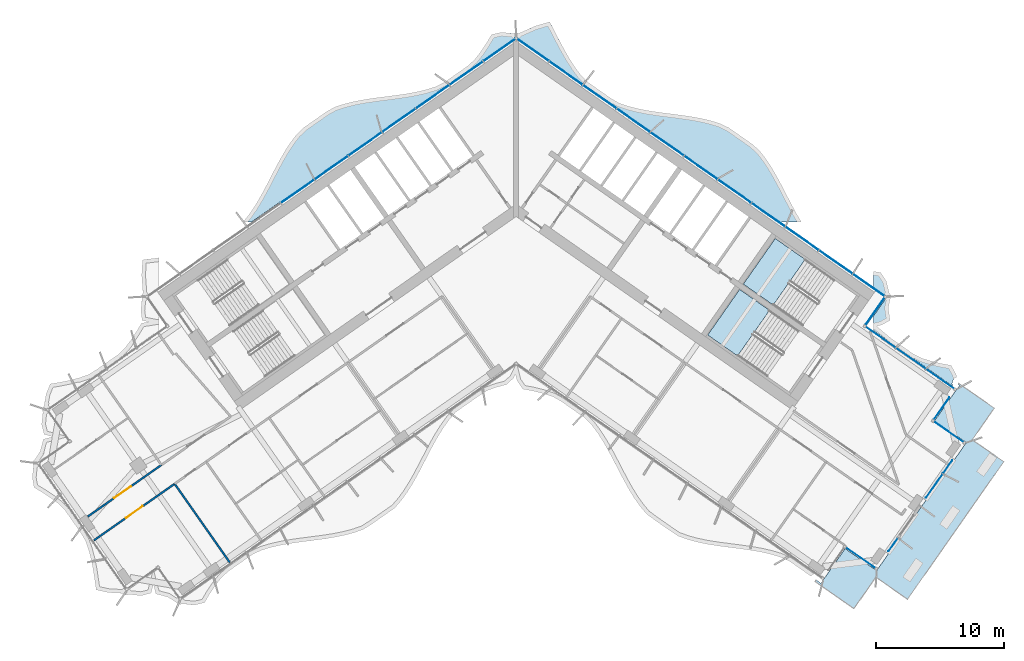
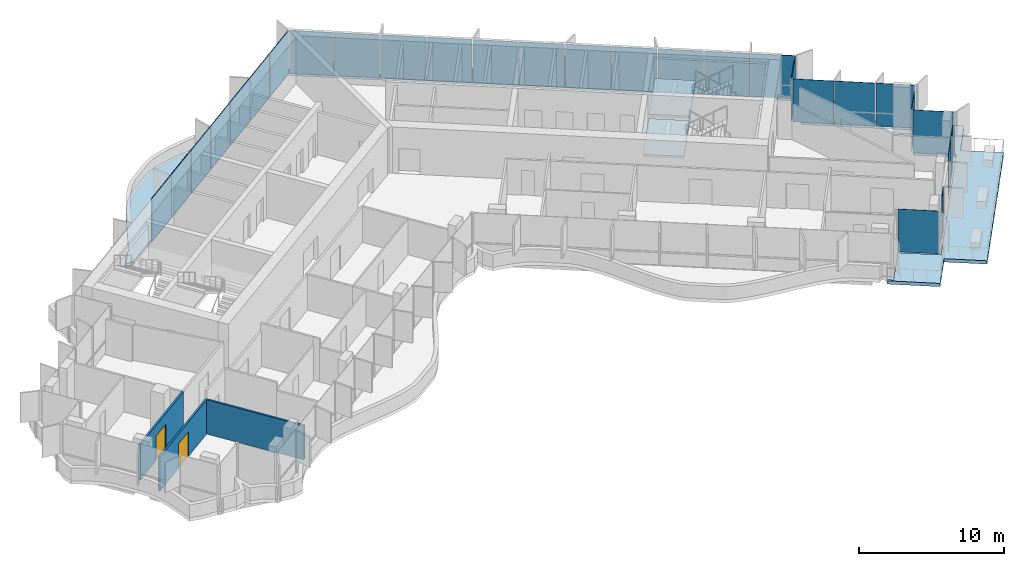
# One storey, part 12 of 23: 28 plates, 5 slabs, 3 walls, 2 doors, 2 openings, 5 elements without a shape of their own.
"""IFC4 building model written with IfcOpenShell, lengths in metres."""

import ifcopenshell
import ifcopenshell.guid

model = None  # the IFC model being written
_history = None  # IfcOwnerHistory: only IFC2X3 demands one
_inside = {}  # id of a spatial element -> (the spatial element, [elements in it])
_under = {}  # id of a project, library or spatial element -> (it, [spatial elements below it])
_declared = {}  # id of a project -> (the project, [libraries it declares])
_typed = {}  # id of a type object -> (the type object, [elements of that type])
_made_of = {}  # id of a material, layer set ... -> (it, [elements and type objects made of it])


def new_model(schema):
    """Start an empty IFC model of exactly this schema.

    Asked for "IFC4X3", IfcOpenShell would pick the latest addendum, in which some entities
    have other attributes; the version numbers below select the first issue.
    IFC2X3 requires an IfcOwnerHistory on every rooted entity: one is made here for all.
    """
    global model, _history
    if schema == "IFC4X3":
        model = ifcopenshell.file(schema_version=(4, 3, 0, 0))
    else:
        model = ifcopenshell.file(schema=schema)
    _inside.clear()
    _under.clear()
    _declared.clear()
    _typed.clear()
    _made_of.clear()
    _history = None
    if model.schema == "IFC2X3":
        org = make("IfcOrganization", Name="unknown")
        user = make(
            "IfcPersonAndOrganization",
            ThePerson=make("IfcPerson", FamilyName="unknown"),
            TheOrganization=org,
        )
        app = make(
            "IfcApplication",
            ApplicationDeveloper=org,
            Version="unknown",
            ApplicationFullName="unknown",
            ApplicationIdentifier="unknown",
        )
        _history = make(
            "IfcOwnerHistory",
            OwningUser=user,
            OwningApplication=app,
            ChangeAction="ADDED",
            CreationDate=0,
        )
    return model


def make(cls, **values):
    """One entity of the class cls with the attributes given. An attribute that is None is left unset."""
    return model.create_entity(
        cls, **{name: value for name, value in values.items() if value is not None}
    )


def rooted(cls, **values):
    """An entity with a GlobalId (a new one), such as an element, a storey or a relation."""
    return make(cls, GlobalId=ifcopenshell.guid.new(), OwnerHistory=_history, **values)


def si_unit(unit_type, name, prefix=None):
    """IfcSIUnit, for example si_unit("LENGTHUNIT", "METRE", prefix="MILLI")."""
    return make("IfcSIUnit", UnitType=unit_type, Prefix=prefix, Name=name)


def assignment(units):
    """IfcUnitAssignment: the units of a project."""
    return None if units is None else make("IfcUnitAssignment", Units=units)


def point(xyz):
    """IfcCartesianPoint."""
    return None if xyz is None else make("IfcCartesianPoint", Coordinates=xyz)


def direction(xyz):
    """IfcDirection."""
    return None if xyz is None else make("IfcDirection", DirectionRatios=xyz)


def frame(location, z_axis=None, x_axis=None):
    """IfcAxis2Placement3D, a coordinate frame: its origin and axes. An axis left out is left unset."""
    return make(
        "IfcAxis2Placement3D",
        Location=point(location),
        Axis=direction(z_axis),
        RefDirection=direction(x_axis),
    )


def frame_2d(location, x_axis=None):
    """IfcAxis2Placement2D, a coordinate frame in the plane: its origin and x axis."""
    return make(
        "IfcAxis2Placement2D", Location=point(location), RefDirection=direction(x_axis)
    )


def origin():
    """The frame at (0, 0, 0) with its axes left unset."""
    return frame((0.0, 0.0, 0.0))


def origin_2d():
    """The frame at (0, 0) in the plane with its x axis left unset."""
    return frame_2d((0.0, 0.0))


def place(relative_to, where):
    """IfcLocalPlacement: puts the frame where relative to a parent placement (None: the world)."""
    return make(
        "IfcLocalPlacement", PlacementRelTo=relative_to, RelativePlacement=where
    )


def context(
    kind, dimensions, precision=None, world=None, true_north=None, identifier=None
):
    """IfcGeometricRepresentationContext, for example the 3D "Model" context."""
    return make(
        "IfcGeometricRepresentationContext",
        ContextIdentifier=identifier,
        ContextType=kind,
        CoordinateSpaceDimension=dimensions,
        Precision=precision,
        WorldCoordinateSystem=world,
        TrueNorth=true_north,
    )


def subcontext(parent, identifier, kind, view, scale=None):
    """IfcGeometricRepresentationSubContext, for example "Body" below "Model"."""
    return make(
        "IfcGeometricRepresentationSubContext",
        ContextIdentifier=identifier,
        ContextType=kind,
        ParentContext=parent,
        TargetScale=scale,
        TargetView=view,
    )


def project(units=None, contexts=None):
    """IfcProject with its units and contexts."""
    return rooted(
        "IfcProject",
        Name="project",
        RepresentationContexts=contexts,
        UnitsInContext=assignment(units),
    )


def spatial(cls, under=None, at=None, **own):
    """A site, building, storey or space (cls), placed at a placement, below another one or the project."""
    s = rooted(cls, ObjectPlacement=at, **own)
    if under is not None:
        _under.setdefault(under.id(), (under, []))[1].append(s)
    return s


def polyline(points):
    """IfcPolyline through the points."""
    return make("IfcPolyline", Points=[point(p) for p in points])


def profile(cls, at=None, kind="AREA", **sizes):
    """A parametric profile (cls). Its sizes go by their IFC names, for example OverallWidth=200.0."""
    return make(cls, ProfileType=kind, Position=at, **sizes)


def rectangle(**sizes):
    """IfcRectangleProfileDef."""
    return profile("IfcRectangleProfileDef", **sizes)


def outline(outer, holes=None, kind="AREA"):
    """IfcArbitraryClosedProfileDef: a profile drawn as a closed curve; with holes, ...WithVoids."""
    if holes is None:
        return make("IfcArbitraryClosedProfileDef", ProfileType=kind, OuterCurve=outer)
    return make(
        "IfcArbitraryProfileDefWithVoids",
        ProfileType=kind,
        OuterCurve=outer,
        InnerCurves=holes,
    )


def extrude(swept, where, along, depth):
    """IfcExtrudedAreaSolid: the profile swept, set in the frame where, extruded along a direction by depth."""
    return make(
        "IfcExtrudedAreaSolid",
        SweptArea=swept,
        Position=where,
        ExtrudedDirection=direction(along),
        Depth=depth,
    )


def shape(context_of_items, identifier, shape_type, items):
    """IfcShapeRepresentation: the items that make up one representation, for example the "Body"."""
    return make(
        "IfcShapeRepresentation",
        ContextOfItems=context_of_items,
        RepresentationIdentifier=identifier,
        RepresentationType=shape_type,
        Items=items,
    )


def material(Name=None, Category=None):
    """IfcMaterial."""
    return make("IfcMaterial", Name=Name, Category=Category)


def layer(
    of_material, thickness, ventilated=None, Name=None, Category=None, Priority=None
):
    """IfcMaterialLayer: one layer of a wall or slab, of a material (None: an air gap)."""
    return make(
        "IfcMaterialLayer",
        Material=of_material,
        LayerThickness=thickness,
        IsVentilated=ventilated,
        Name=Name,
        Category=Category,
        Priority=Priority,
    )


def layer_set(layers, Name=None):
    """IfcMaterialLayerSet."""
    return make("IfcMaterialLayerSet", MaterialLayers=layers, LayerSetName=Name)


def made_of(thing, what):
    """Note that an element or type object is made of a material, layer set ...; save() writes the relation."""
    if what is not None:
        _made_of.setdefault(what.id(), (what, []))[1].append(thing)
    return thing


def type_object(cls, material=None, **own):
    """A type object (cls), such as IfcWallType, which elements share."""
    return made_of(rooted(cls, **own), material)


def element(
    cls,
    number,
    at=None,
    inside=None,
    cuts=None,
    type_object=None,
    material=None,
    context=None,
    identifier="Body",
    shape_type=None,
    held_by="IfcProductDefinitionShape",
    body=None,
    shapes=None,
    **own,
):
    """One element of the class cls, such as IfcWall. Its Tag is "e" and its number.

    at: its placement. inside: the storey or other place that contains it. cuts: it is an
    opening in that element (IfcRelVoidsElement). A single representation is given by context,
    identifier, shape_type and body (its items); several are given by shapes. held_by: the class
    of the entity that holds the representations. save() writes the other relations.
    """
    e = rooted(cls, Tag="e%d" % number, ObjectPlacement=at, **own)
    if body is not None:
        shapes = [shape(context, identifier, shape_type, body)]
    if shapes is not None:
        e.Representation = make(held_by, Representations=shapes)
    if inside is not None:
        _inside.setdefault(inside.id(), (inside, []))[1].append(e)
    if cuts is not None:
        rooted(
            "IfcRelVoidsElement", RelatingBuildingElement=cuts, RelatedOpeningElement=e
        )
    if type_object is not None:
        _typed.setdefault(type_object.id(), (type_object, []))[1].append(e)
    return made_of(e, material)


def fill(opening, filler):
    """IfcRelFillsElement: the door or window that sits in an opening."""
    return rooted(
        "IfcRelFillsElement",
        RelatingOpeningElement=opening,
        RelatedBuildingElement=filler,
    )


def aggregate(whole, parts):
    """IfcRelAggregates: a whole, such as a stair, and the parts it consists of."""
    return rooted("IfcRelAggregates", RelatingObject=whole, RelatedObjects=parts)


def save(model, path):
    """Write the relations noted so far, then the file.

    IfcRelAggregates (storeys below a building ...), IfcRelContainedInSpatialStructure (elements
    in a storey), IfcRelDefinesByType, IfcRelAssociatesMaterial and IfcRelDeclares: one each for
    every whole, place, type object, material and project.
    """
    for whole, parts in _under.values():
        aggregate(whole, parts)
    for where, things in _inside.values():
        rooted(
            "IfcRelContainedInSpatialStructure",
            RelatedElements=things,
            RelatingStructure=where,
        )
    for kind, things in _typed.values():
        rooted("IfcRelDefinesByType", RelatedObjects=things, RelatingType=kind)
    for what, things in _made_of.values():
        rooted("IfcRelAssociatesMaterial", RelatedObjects=things, RelatingMaterial=what)
    for by, libraries in _declared.values():
        rooted("IfcRelDeclares", RelatingContext=by, RelatedDefinitions=libraries)
    model.write(path)


model = new_model("IFC4")

# Units and contexts
model_context = context("Model", 3, precision=1e-05, world=origin(), true_north=direction((0.0, 1.0)))
body_context = subcontext(model_context, "Body", "Model", "MODEL_VIEW")
ifc_project = project(units=[si_unit("LENGTHUNIT", "METRE"), si_unit("AREAUNIT", "SQUARE_METRE"), si_unit("VOLUMEUNIT", "CUBIC_METRE"), si_unit("PLANEANGLEUNIT", "RADIAN"), si_unit("MASSUNIT", "GRAM", prefix="KILO")], contexts=[model_context])

# Site, building, storey
site_placement = place(None, origin())
site = spatial("IfcSite", under=ifc_project, at=site_placement, CompositionType="ELEMENT")
building_placement = place(site_placement, origin())
building = spatial("IfcBuilding", under=site, at=building_placement, Name="Tel Ilan Convention Tower", CompositionType="ELEMENT")
storey_placement = place(building_placement, frame((0.0, 0.0, 190.5)))
storey = spatial("IfcBuildingStorey", under=building, at=storey_placement, Name="L44", CompositionType="ELEMENT", Elevation=190.5)

# Curtain wall, plates
ifc_material_1 = material(Name="Aluminium, bronze anodised", Category="aluminium")
curtain_wall_type_1 = type_object("IfcCurtainWallType", Name="CW4 STICK CURTAIN WALL, OFFICE TINTED GLASS", PredefinedType="NOTDEFINED", material=ifc_material_1)
curtain_wall_1_placement = place(storey_placement, origin())
curtain_wall_1 = element("IfcCurtainWall", 1, at=curtain_wall_1_placement, inside=storey, type_object=curtain_wall_type_1, Name="Curtain wall CW4-34.02", PredefinedType="NOTDEFINED")
ifc_material_2 = material(Name="Glass, bronze tinted, two-ply", Category="glass")
ifc_layer_1 = layer(ifc_material_2, 0.028076171875)
ifc_layer_set_1 = layer_set([ifc_layer_1], Name="CW GLASS PANEL 28")
plate_type_1 = type_object("IfcPlateType", Name="CW GLASS PANEL 28", PredefinedType="CURTAIN_PANEL", material=ifc_layer_set_1)
plate_1_placement = place(storey_placement, frame((32.64208984375, -22.248291015625, 0.0), z_axis=(0.0, 0.0, 1.0), x_axis=(0.573576436351, 0.819152044289, 0.0)))
plate_1 = element("IfcPlate", 2, at=plate_1_placement, type_object=plate_type_1, Name="Glass panel", PredefinedType="CURTAIN_PANEL", context=body_context, shape_type="SweptSolid", body=[
    extrude(rectangle(XDim=2.243896484375, YDim=0.028076171875, at=origin_2d()), origin(), (0.0, 0.0, 1.0), 3.6201171875),
])
plate_2_placement = place(storey_placement, frame((33.6767578125, -20.7705078125, 0.0), z_axis=(0.0, 0.0, 1.0), x_axis=(0.573576436351, 0.819152044289, 0.0)))
plate_2 = element("IfcPlate", 3, at=plate_2_placement, type_object=plate_type_1, Name="Glass panel", PredefinedType="CURTAIN_PANEL", context=body_context, shape_type="SweptSolid", body=[
    extrude(rectangle(XDim=1.243896484375, YDim=0.028076171875, at=origin_2d()), origin(), (0.0, 0.0, 1.0), 3.6201171875),
])
plate_3_placement = place(storey_placement, frame((33.7978515625, -18.0498046875, 0.0), z_axis=(0.0, 0.0, 1.0), x_axis=(-0.819152044289, 0.573576436351, 0.0)))
plate_3 = element("IfcPlate", 4, at=plate_3_placement, type_object=plate_type_1, Name="Glass panel", PredefinedType="CURTAIN_PANEL", context=body_context, shape_type="SweptSolid", body=[
    extrude(rectangle(XDim=2.875, YDim=0.028076171875, at=origin_2d()), origin(), (0.0, 0.0, 1.0), 3.6201171875),
])
plate_4_placement = place(storey_placement, frame((33.204345703125, -16.215087890625, 0.0), z_axis=(0.0, 0.0, 1.0), x_axis=(0.573576436351, 0.819152044289, 0.0)))
plate_4 = element("IfcPlate", 5, at=plate_4_placement, type_object=plate_type_1, Name="Glass panel", PredefinedType="CURTAIN_PANEL", context=body_context, shape_type="SweptSolid", body=[
    extrude(rectangle(XDim=2.123046875, YDim=0.028076171875, at=origin_2d()), origin(), (0.0, 0.0, 1.0), 3.6201171875),
])
plate_5_placement = place(storey_placement, frame((33.12744140625, -13.918212890625, 0.0), z_axis=(0.0, 0.0, 1.0), x_axis=(-0.819152044289, 0.573576436351, 0.0)))
plate_5 = element("IfcPlate", 6, at=plate_5_placement, type_object=plate_type_1, Name="Glass panel", PredefinedType="CURTAIN_PANEL", context=body_context, shape_type="SweptSolid", body=[
    extrude(rectangle(XDim=2.712646484375, YDim=0.028076171875, at=origin_2d()), origin(), (0.0, 0.0, 1.0), 3.6201171875),
])
plate_6_placement = place(storey_placement, frame((30.81787109375, -12.301025390625, 0.0), z_axis=(0.0, 0.0, 1.0), x_axis=(-0.819152044289, 0.573576436351, 0.0)))
plate_6 = element("IfcPlate", 7, at=plate_6_placement, type_object=plate_type_1, Name="Glass panel", PredefinedType="CURTAIN_PANEL", context=body_context, shape_type="SweptSolid", body=[
    extrude(rectangle(XDim=2.806640625, YDim=0.028076171875, at=origin_2d()), origin(), (0.0, 0.0, 1.0), 3.6201171875),
])
plate_7_placement = place(storey_placement, frame((28.457763671875, -10.6484375, 0.0), z_axis=(0.0, 0.0, 1.0), x_axis=(-0.819152044289, 0.573576436351, 0.0)))
plate_7 = element("IfcPlate", 8, at=plate_7_placement, type_object=plate_type_1, Name="Glass panel", PredefinedType="CURTAIN_PANEL", context=body_context, shape_type="SweptSolid", body=[
    extrude(rectangle(XDim=2.835693359375, YDim=0.028076171875, at=origin_2d()), origin(), (0.0, 0.0, 1.0), 3.6201171875),
])
aggregate(curtain_wall_1, [plate_1, plate_2, plate_3, plate_4, plate_5, plate_6, plate_7])

curtain_wall_2_placement = place(storey_placement, origin())
curtain_wall_2 = element("IfcCurtainWall", 9, at=curtain_wall_2_placement, inside=storey, type_object=curtain_wall_type_1, Name="Curtain wall CW4-34.04", PredefinedType="NOTDEFINED")
plate_8_placement = place(storey_placement, frame((26.914794921875, -27.879638671875, 0.0), z_axis=(0.0, 0.0, 1.0), x_axis=(0.819152044289, -0.573576436351, 0.0)))
plate_8 = element("IfcPlate", 10, at=plate_8_placement, type_object=plate_type_1, Name="Glass panel", PredefinedType="CURTAIN_PANEL", context=body_context, shape_type="SweptSolid", body=[
    extrude(rectangle(XDim=2.875, YDim=0.028076171875, at=origin_2d()), origin(), (0.0, 0.0, 1.0), 3.6201171875),
])
plate_9_placement = place(storey_placement, frame((29.43017578125, -26.835693359375, 0.0), z_axis=(0.0, 0.0, 1.0), x_axis=(0.573576436351, 0.819152044289, 0.0)))
plate_9 = element("IfcPlate", 11, at=plate_9_placement, type_object=plate_type_1, Name="Glass panel", PredefinedType="CURTAIN_PANEL", context=body_context, shape_type="SweptSolid", body=[
    extrude(rectangle(XDim=1.243896484375, YDim=0.028076171875, at=origin_2d()), origin(), (0.0, 0.0, 1.0), 3.6201171875),
])
aggregate(curtain_wall_2, [plate_8, plate_9])

ifc_material_3 = material(Name="Aluminium, bronze anodised", Category="aluminium")
curtain_wall_type_2 = type_object("IfcCurtainWallType", Name="CW2 STICK CURTAIN WALL, SPANDREL PANELS", PredefinedType="NOTDEFINED", material=ifc_material_3)
curtain_wall_3_placement = place(storey_placement, origin())
curtain_wall_3 = element("IfcCurtainWall", 12, at=curtain_wall_3_placement, inside=storey, type_object=curtain_wall_type_2, Name="Curtain wall CW2-34.03", PredefinedType="NOTDEFINED")
ifc_material_4 = material(Name="Aluminium composite panel, bronze anodised", Category="aluminium")
ifc_layer_2 = layer(ifc_material_4, 0.06005859375)
ifc_layer_set_2 = layer_set([ifc_layer_2], Name="CW SPANDREL PANEL 60")
plate_type_2 = type_object("IfcPlateType", Name="CW SPANDREL PANEL 60", PredefinedType="CURTAIN_PANEL", material=ifc_layer_set_2)
plate_10_placement = place(storey_placement, frame((28.033935546875, -8.60546875, 0.0), z_axis=(0.0, 0.0, 1.0), x_axis=(0.573576436351, 0.819152044289, 0.0)))
plate_10 = element("IfcPlate", 13, at=plate_10_placement, type_object=plate_type_2, Name="Spandrel panel", PredefinedType="CURTAIN_PANEL", context=body_context, shape_type="SweptSolid", body=[
    extrude(rectangle(XDim=2.658935546875, YDim=0.06005859375, at=origin_2d()), origin(), (0.0, 0.0, 1.0), 3.6201171875),
])
plate_11_placement = place(storey_placement, frame((27.5400390625, -6.587646484375, 0.0), z_axis=(0.0, 0.0, 1.0), x_axis=(-0.819152044289, 0.573576436351, 0.0)))
plate_11 = element("IfcPlate", 14, at=plate_11_placement, type_object=plate_type_2, Name="Spandrel panel", PredefinedType="CURTAIN_PANEL", context=body_context, shape_type="SweptSolid", body=[
    extrude(rectangle(XDim=3.0439453125, YDim=0.06005859375, at=origin_2d()), origin(), (0.0, 0.0, 1.0), 3.6201171875),
])
plate_12_placement = place(storey_placement, frame((24.95263671875, -4.77587890625, 0.0), z_axis=(0.0, 0.0, 1.0), x_axis=(-0.819152044289, 0.573576436351, 0.0)))
plate_12 = element("IfcPlate", 15, at=plate_12_placement, type_object=plate_type_2, Name="Spandrel panel", PredefinedType="CURTAIN_PANEL", context=body_context, shape_type="SweptSolid", body=[
    extrude(rectangle(XDim=3.15380859375, YDim=0.06005859375, at=origin_2d()), origin(), (0.0, 0.0, 1.0), 3.6201171875),
])
plate_13_placement = place(storey_placement, frame((22.31982421875, -2.9326171875, 0.0), z_axis=(0.0, 0.0, 1.0), x_axis=(-0.819152044289, 0.573576436351, 0.0)))
plate_13 = element("IfcPlate", 16, at=plate_13_placement, type_object=plate_type_2, Name="Spandrel panel", PredefinedType="CURTAIN_PANEL", context=body_context, shape_type="SweptSolid", body=[
    extrude(rectangle(XDim=3.15380859375, YDim=0.06005859375, at=origin_2d()), origin(), (0.0, 0.0, 1.0), 3.6201171875),
])
plate_14_placement = place(storey_placement, frame((19.687255859375, -1.089111328125, 0.0), z_axis=(0.0, 0.0, 1.0), x_axis=(-0.819152044289, 0.573576436351, 0.0)))
plate_14 = element("IfcPlate", 17, at=plate_14_placement, type_object=plate_type_2, Name="Spandrel panel", PredefinedType="CURTAIN_PANEL", context=body_context, shape_type="SweptSolid", body=[
    extrude(rectangle(XDim=3.15380859375, YDim=0.06005859375, at=origin_2d()), origin(), (0.0, 0.0, 1.0), 3.6201171875),
])
plate_15_placement = place(storey_placement, frame((17.0546875, 0.754150390625, 0.0), z_axis=(0.0, 0.0, 1.0), x_axis=(-0.819152044289, 0.573576436351, 0.0)))
plate_15 = element("IfcPlate", 18, at=plate_15_placement, type_object=plate_type_2, Name="Spandrel panel", PredefinedType="CURTAIN_PANEL", context=body_context, shape_type="SweptSolid", body=[
    extrude(rectangle(XDim=3.15380859375, YDim=0.06005859375, at=origin_2d()), origin(), (0.0, 0.0, 1.0), 3.6201171875),
])
plate_16_placement = place(storey_placement, frame((14.422119140625, 2.59765625, 0.0), z_axis=(0.0, 0.0, 1.0), x_axis=(-0.819152044289, 0.573576436351, 0.0)))
plate_16 = element("IfcPlate", 19, at=plate_16_placement, type_object=plate_type_2, Name="Spandrel panel", PredefinedType="CURTAIN_PANEL", context=body_context, shape_type="SweptSolid", body=[
    extrude(rectangle(XDim=3.15380859375, YDim=0.06005859375, at=origin_2d()), origin(), (0.0, 0.0, 1.0), 3.6201171875),
])
plate_17_placement = place(storey_placement, frame((11.789306640625, 4.44091796875, 0.0), z_axis=(0.0, 0.0, 1.0), x_axis=(-0.819152044289, 0.573576436351, 0.0)))
plate_17 = element("IfcPlate", 20, at=plate_17_placement, type_object=plate_type_2, Name="Spandrel panel", PredefinedType="CURTAIN_PANEL", context=body_context, shape_type="SweptSolid", body=[
    extrude(rectangle(XDim=3.15380859375, YDim=0.06005859375, at=origin_2d()), origin(), (0.0, 0.0, 1.0), 3.6201171875),
])
plate_18_placement = place(storey_placement, frame((9.15673828125, 6.284423828125, 0.0), z_axis=(0.0, 0.0, 1.0), x_axis=(-0.819152044289, 0.573576436351, 0.0)))
plate_18 = element("IfcPlate", 21, at=plate_18_placement, type_object=plate_type_2, Name="Spandrel panel", PredefinedType="CURTAIN_PANEL", context=body_context, shape_type="SweptSolid", body=[
    extrude(rectangle(XDim=3.15380859375, YDim=0.06005859375, at=origin_2d()), origin(), (0.0, 0.0, 1.0), 3.6201171875),
])
plate_19_placement = place(storey_placement, frame((6.524169921875, 8.127685546875, 0.0), z_axis=(0.0, 0.0, 1.0), x_axis=(-0.819152044289, 0.573576436351, 0.0)))
plate_19 = element("IfcPlate", 22, at=plate_19_placement, type_object=plate_type_2, Name="Spandrel panel", PredefinedType="CURTAIN_PANEL", context=body_context, shape_type="SweptSolid", body=[
    extrude(rectangle(XDim=3.15380859375, YDim=0.06005859375, at=origin_2d()), origin(), (0.0, 0.0, 1.0), 3.6201171875),
])
plate_20_placement = place(storey_placement, frame((3.8916015625, 9.97119140625, 0.0), z_axis=(0.0, 0.0, 1.0), x_axis=(-0.819152044289, 0.573576436351, 0.0)))
plate_20 = element("IfcPlate", 23, at=plate_20_placement, type_object=plate_type_2, Name="Spandrel panel", PredefinedType="CURTAIN_PANEL", context=body_context, shape_type="SweptSolid", body=[
    extrude(rectangle(XDim=3.15380859375, YDim=0.06005859375, at=origin_2d()), origin(), (0.0, 0.0, 1.0), 3.6201171875),
])
plate_21_placement = place(storey_placement, frame((1.303955078125, 11.782958984375, 0.0), z_axis=(0.0, 0.0, 1.0), x_axis=(-0.819152044289, 0.573576436351, 0.0)))
plate_21 = element("IfcPlate", 24, at=plate_21_placement, type_object=plate_type_2, Name="Spandrel panel", PredefinedType="CURTAIN_PANEL", context=body_context, shape_type="SweptSolid", body=[
    extrude(rectangle(XDim=3.0439453125, YDim=0.06005859375, at=origin_2d()), origin(), (0.0, 0.0, 1.0), 3.6201171875),
])
plate_22_placement = place(storey_placement, frame((-1.303955078125, 11.782958984375, 0.0), z_axis=(0.0, 0.0, 1.0), x_axis=(-0.819152044289, -0.573576436351, 0.0)))
plate_22 = element("IfcPlate", 25, at=plate_22_placement, type_object=plate_type_2, Name="Spandrel panel", PredefinedType="CURTAIN_PANEL", context=body_context, shape_type="SweptSolid", body=[
    extrude(rectangle(XDim=3.0439453125, YDim=0.06005859375, at=origin_2d()), origin(), (0.0, 0.0, 1.0), 3.6201171875),
])
plate_23_placement = place(storey_placement, frame((-3.8916015625, 9.97119140625, 0.0), z_axis=(0.0, 0.0, 1.0), x_axis=(-0.819152044289, -0.573576436351, 0.0)))
plate_23 = element("IfcPlate", 26, at=plate_23_placement, type_object=plate_type_2, Name="Spandrel panel", PredefinedType="CURTAIN_PANEL", context=body_context, shape_type="SweptSolid", body=[
    extrude(rectangle(XDim=3.15380859375, YDim=0.06005859375, at=origin_2d()), origin(), (0.0, 0.0, 1.0), 3.6201171875),
])
plate_24_placement = place(storey_placement, frame((-6.524169921875, 8.127685546875, 0.0), z_axis=(0.0, 0.0, 1.0), x_axis=(-0.819152044289, -0.573576436351, 0.0)))
plate_24 = element("IfcPlate", 27, at=plate_24_placement, type_object=plate_type_2, Name="Spandrel panel", PredefinedType="CURTAIN_PANEL", context=body_context, shape_type="SweptSolid", body=[
    extrude(rectangle(XDim=3.15380859375, YDim=0.06005859375, at=origin_2d()), origin(), (0.0, 0.0, 1.0), 3.6201171875),
])
plate_25_placement = place(storey_placement, frame((-9.15673828125, 6.284423828125, 0.0), z_axis=(0.0, 0.0, 1.0), x_axis=(-0.819152044289, -0.573576436351, 0.0)))
plate_25 = element("IfcPlate", 28, at=plate_25_placement, type_object=plate_type_2, Name="Spandrel panel", PredefinedType="CURTAIN_PANEL", context=body_context, shape_type="SweptSolid", body=[
    extrude(rectangle(XDim=3.15380859375, YDim=0.06005859375, at=origin_2d()), origin(), (0.0, 0.0, 1.0), 3.6201171875),
])
plate_26_placement = place(storey_placement, frame((-11.789306640625, 4.44091796875, 0.0), z_axis=(0.0, 0.0, 1.0), x_axis=(-0.819152044289, -0.573576436351, 0.0)))
plate_26 = element("IfcPlate", 29, at=plate_26_placement, type_object=plate_type_2, Name="Spandrel panel", PredefinedType="CURTAIN_PANEL", context=body_context, shape_type="SweptSolid", body=[
    extrude(rectangle(XDim=3.15380859375, YDim=0.06005859375, at=origin_2d()), origin(), (0.0, 0.0, 1.0), 3.6201171875),
])
plate_27_placement = place(storey_placement, frame((-14.422119140625, 2.59765625, 0.0), z_axis=(0.0, 0.0, 1.0), x_axis=(-0.819152044289, -0.573576436351, 0.0)))
plate_27 = element("IfcPlate", 30, at=plate_27_placement, type_object=plate_type_2, Name="Spandrel panel", PredefinedType="CURTAIN_PANEL", context=body_context, shape_type="SweptSolid", body=[
    extrude(rectangle(XDim=3.15380859375, YDim=0.06005859375, at=origin_2d()), origin(), (0.0, 0.0, 1.0), 3.6201171875),
])
plate_28_placement = place(storey_placement, frame((-17.0546875, 0.754150390625, 0.0), z_axis=(0.0, 0.0, 1.0), x_axis=(-0.819152044289, -0.573576436351, 0.0)))
plate_28 = element("IfcPlate", 31, at=plate_28_placement, type_object=plate_type_2, Name="Spandrel panel", PredefinedType="CURTAIN_PANEL", context=body_context, shape_type="SweptSolid", body=[
    extrude(rectangle(XDim=3.15380859375, YDim=0.06005859375, at=origin_2d()), origin(), (0.0, 0.0, 1.0), 3.6201171875),
])
aggregate(curtain_wall_3, [plate_10, plate_11, plate_12, plate_13, plate_14, plate_15, plate_16, plate_17, plate_18, plate_19, plate_20, plate_21, plate_22, plate_23, plate_24, plate_25, plate_26, plate_27, plate_28])

# Stair, slab
ifc_material_5 = material(Name="Concrete C40/50", Category="concrete")
stair_type = type_object("IfcStairType", Name="Pressurised Exit Stair 22 risers 177 mm", PredefinedType="HALF_TURN_STAIR", material=ifc_material_5)
stair_1_placement = place(storey_placement, origin())
stair_1 = element("IfcStair", 32, at=stair_1_placement, inside=storey, type_object=stair_type, Name="L44 Pressurised Stair S3", PredefinedType="HALF_TURN_STAIR")
ifc_material_6 = material(Name="Concrete C40/50", Category="concrete")
ifc_layer_3 = layer(ifc_material_6, 0.199951171875)
ifc_layer_set_3 = layer_set([ifc_layer_3], Name="Concrete Stair Landing 200 mm C40/50")
slab_type_1 = type_object("IfcSlabType", Name="Concrete Stair Landing 200 mm", PredefinedType="LANDING", material=ifc_layer_set_3)
slab_1_placement = place(storey_placement, frame((0.0, 0.0, 1.75)))
slab_1 = element("IfcSlab", 33, at=slab_1_placement, type_object=slab_type_1, Name="S3 landing 1", PredefinedType="LANDING", context=body_context, shape_type="SweptSolid", body=[
    extrude(outline(polyline([(22.561767578125, -4.566650390625), (20.226318359375, -2.931640625), (17.7314453125, -6.494873046875), (20.066650390625, -8.130126953125), (22.561767578125, -4.566650390625)])), origin(), (0.0, 0.0, 1.0), 0.199951171875),
])
aggregate(stair_1, [slab_1])

stair_2_placement = place(storey_placement, origin())
stair_2 = element("IfcStair", 34, at=stair_2_placement, inside=storey, type_object=stair_type, Name="L44 Pressurised Stair S4", PredefinedType="HALF_TURN_STAIR")
slab_2_placement = place(storey_placement, frame((0.0, 0.0, 1.75)))
slab_2 = element("IfcSlab", 35, at=slab_2_placement, type_object=slab_type_1, Name="S4 landing 1", PredefinedType="LANDING", context=body_context, shape_type="SweptSolid", body=[
    extrude(outline(polyline([(19.77978515625, -8.53955078125), (17.444580078125, -6.904541015625), (14.949462890625, -10.4677734375), (17.28466796875, -12.10302734375), (19.77978515625, -8.53955078125)])), origin(), (0.0, 0.0, 1.0), 0.199951171875),
])
aggregate(stair_2, [slab_2])

# Slabs
ifc_material_7 = material(Name="Concrete C40/50", Category="concrete")
ifc_layer_4 = layer(ifc_material_7, 0.280029296875)
ifc_layer_set_4 = layer_set([ifc_layer_4], Name="Edge Ledge Slab 280 mm C40/50")
slab_type_2 = type_object("IfcSlabType", Name="Edge Ledge Slab 280 mm C40/50", PredefinedType="FLOOR", material=ifc_layer_set_4)
slab_3_placement = place(storey_placement, frame((0.0, 0.0, -0.280029296875)))
element("IfcSlab", 36, at=slab_3_placement, inside=storey, type_object=slab_type_2, Name="L44 edge ledge 2", PredefinedType="FLOOR", context=body_context, shape_type="SweptSolid", body=[
    extrude(outline(polyline([(-18.44677734375, 3.209228515625), (-18.0390625, 3.910888671875), (-17.604736328125, 4.574951171875), (-17.13671875, 5.190185546875), (-16.6015625, 5.71044921875), (-14.791748046875, 6.977783203125), (-14.1416015625, 7.33349609375), (-13.41064453125, 7.573486328125), (-12.644287109375, 7.76318359375), (-11.849853515625, 7.91259765625), (-11.03564453125, 8.033935546875), (-10.211181640625, 8.140380859375), (-9.385986328125, 8.24609375), (-8.570068359375, 8.36474609375), (-7.7724609375, 8.509765625), (-7.002197265625, 8.693603515625), (-6.26611328125, 8.926513671875), (-5.601806640625, 9.261962890625), (-3.7919921875, 10.529296875), (-3.2421875, 11.0283203125), (-2.769287109375, 11.63671875), (-2.3310546875, 12.294921875), (-1.919921875, 12.991943359375), (-1.14208984375, 13.1650390625), (-0.172119140625, 13.06396484375), (-0.168701171875, 13.05908203125), (-0.11474609375, 13.09521484375), (0.0, 13.1181640625), (0.11474609375, 13.09521484375), (0.168701171875, 13.05908203125), (0.172119140625, 13.06396484375), (1.4794921875, 13.647216796875), (2.6162109375, 13.986328125), (3.000244140625, 13.250732421875), (3.38134765625, 12.510986328125), (3.770263671875, 11.7822265625), (4.176513671875, 11.078369140625), (4.608642578125, 10.41162109375), (5.074462890625, 9.792724609375), (5.601806640625, 9.261962890625), (7.411865234375, 7.99462890625), (8.054931640625, 7.62890625), (8.783447265625, 7.385498046875), (9.547607421875, 7.19287109375), (10.340576171875, 7.041015625), (11.15380859375, 6.91845703125), (11.977783203125, 6.811279296875), (12.80322265625, 6.7060546875), (13.6201171875, 6.588623046875), (14.419189453125, 6.44580078125), (15.191650390625, 6.2646484375), (15.929931640625, 6.03515625), (16.6015625, 5.71044921875), (18.41162109375, 4.443115234375), (18.96826171875, 3.9541015625), (19.44384765625, 3.34912109375), (19.884033203125, 2.69384765625), (20.296142578125, 1.998291015625), (20.688720703125, 1.27490234375), (21.07080078125, 0.53662109375), (21.4521484375, -0.202880859375), (21.8427734375, -0.928955078125), (22.25341796875, -1.631591796875), (20.63623046875, -1.631591796875), (0.0, 12.818115234375), (-20.63623046875, -1.631591796875), (-21.30126953125, -1.631591796875), (-20.849609375, -1.0634765625), (-20.4072265625, -0.4111328125), (-19.993408203125, 0.281982421875), (-19.60009765625, 1.004150390625), (-19.217529296875, 1.741943359375), (-18.83642578125, 2.481689453125), (-18.44677734375, 3.209228515625)])), origin(), (0.0, 0.0, 1.0), 0.280029296875),
])
slab_4_placement = place(storey_placement, frame((0.0, 0.0, -0.280029296875)))
element("IfcSlab", 37, at=slab_4_placement, inside=storey, type_object=slab_type_2, Name="L44 edge ledge 3", PredefinedType="FLOOR", context=body_context, shape_type="SweptSolid", body=[
    extrude(outline(polyline([(29.2587890625, -7.458984375), (29.236083984375, -7.57373046875), (29.199951171875, -7.6279296875), (29.20458984375, -7.631103515625), (29.044921875, -8.373779296875), (29.194091796875, -9.332763671875), (28.4912109375, -9.6953125), (28.123291015625, -9.789794921875), (28.18212890625, -9.817626953125), (28.730712890625, -10.28369140625), (29.285888671875, -10.739990234375), (31.047119140625, -11.973388671875), (31.703369140625, -12.285888671875), (32.42138671875, -12.509521484375), (33.172119140625, -12.68701171875), (33.945068359375, -12.832763671875), (34.3369140625, -13.5224609375), (34.39599609375, -13.755615234375), (34.35693359375, -13.7685546875), (34.312255859375, -13.78857421875), (34.26953125, -13.81298828125), (34.2294921875, -13.84130859375), (34.1923828125, -13.873291015625), (34.15869140625, -13.908935546875), (34.128662109375, -13.94775390625), (34.1025390625, -13.9892578125), (34.08056640625, -14.033203125), (34.06298828125, -14.0791015625), (34.050048828125, -14.12646484375), (34.041748046875, -14.1748046875), (34.038330078125, -14.2236328125), (34.03955078125, -14.272705078125), (34.0458984375, -14.3212890625), (34.056640625, -14.369384765625), (34.072265625, -14.415771484375), (34.099365234375, -14.476806640625), (27.875, -10.1181640625), (27.875, -9.007080078125), (28.958740234375, -7.458984375), (27.875, -6.7001953125), (27.875, -5.485595703125), (28.465576171875, -5.595458984375), (28.894287109375, -6.267333984375), (29.130859375, -7.21337890625), (29.127685546875, -7.218017578125), (29.1708984375, -7.246826171875), (29.236083984375, -7.34423828125), (29.2587890625, -7.458984375)])), origin(), (0.0, 0.0, 1.0), 0.280029296875),
])
ifc_material_8 = material(Name="Concrete C40/50", Category="concrete")
ifc_layer_5 = layer(ifc_material_8, 0.280029296875)
ifc_layer_set_5 = layer_set([ifc_layer_5], Name="Terrace Deck Slab 280 mm C40/50")
slab_type_3 = type_object("IfcSlabType", Name="Terrace Deck Slab 280 mm C40/50", PredefinedType="FLOOR", material=ifc_layer_set_5)
slab_5_placement = place(storey_placement, frame((0.0, 0.0, -0.280029296875)))
element("IfcSlab", 38, at=slab_5_placement, inside=storey, type_object=slab_type_3, Name="L44 terrace deck 1", PredefinedType="FLOOR", context=body_context, shape_type="SweptSolid", body=[
    extrude(outline(polyline([(23.417724609375, -29.58154296875), (23.786376953125, -29.839599609375), (25.67919921875, -27.136474609375), (28.13671875, -28.857421875), (35.13427734375, -18.863525390625), (32.6767578125, -17.142822265625), (34.569580078125, -14.439697265625), (34.51318359375, -14.217041015625), (37.31787109375, -16.180908203125), (35.59716796875, -18.638427734375), (38.0546875, -20.359130859375), (30.540771484375, -31.090087890625), (28.083251953125, -29.369384765625), (26.362548828125, -31.82666015625), (23.331787109375, -29.70458984375), (23.417724609375, -29.58154296875)])), origin(), (0.0, 0.0, 1.0), 0.280029296875),
])

# Wall, opening, door
ifc_material_9 = material(Name="Plasterboard on Steel Studs", Category="steel")
ifc_layer_6 = layer(ifc_material_9, 0.14990234375)
ifc_layer_set_6 = layer_set([ifc_layer_6], Name="Fire-rated Partition 150 EI 60")
wall_type = type_object("IfcWallType", Name="Fire-rated Partition 150 EI 60", PredefinedType="PARTITIONING", material=ifc_layer_set_6)
wall_1_placement = place(storey_placement, frame((-33.4453125, -24.640380859375, 0.0), z_axis=(0.0, 0.0, 1.0), x_axis=(0.819135673229, 0.573599815938, 0.0)))
wall_1 = element("IfcWall", 39, at=wall_1_placement, inside=storey, type_object=wall_type, Name="Partition 009", PredefinedType="PARTITIONING", context=body_context, shape_type="SweptSolid", body=[
    extrude(rectangle(XDim=7.03173828125, YDim=0.14990234375, at=frame_2d((3.515869140625, 0.0))), origin(), (0.0, 0.0, 1.0), 3.0),
])
opening_1_placement = place(wall_1_placement, frame((2.515869140625, 0.0, 0.0)))
opening_1 = element("IfcOpeningElement", 40, at=opening_1_placement, cuts=wall_1, Name="Opening L44-010", PredefinedType="OPENING", context=body_context, shape_type="SweptSolid", body=[
    extrude(rectangle(XDim=1.60009765625, YDim=2.10009765625, at=frame_2d((0.800048828125, 1.050048828125))), frame((0.0, 0.0849609375, 0.0), z_axis=(0.0, -1.0, 0.0), x_axis=(1.0, 0.0, 0.0)), (0.0, 0.0, 1.0), 0.169921875),
])
ifc_material_10 = material(Name="Timber Door Leaf in Steel Frame", Category="steel")
door_type = type_object("IfcDoorType", Name="Tenant Suite Entrance Fire Door 1600x2100", OperationType="NOTDEFINED", PredefinedType="DOOR", material=ifc_material_10)
door_1_placement = place(opening_1_placement, origin())
door_1 = element("IfcDoor", 41, at=door_1_placement, inside=storey, type_object=door_type, Name="Door L44-010", OperationType="DOUBLE_DOOR_SINGLE_SWING", OverallHeight=2.10009765625, OverallWidth=1.60009765625, PredefinedType="DOOR", context=body_context, shape_type="SweptSolid", body=[
    extrude(rectangle(XDim=1.60009765625, YDim=2.10009765625, at=frame_2d((0.800048828125, 1.050048828125))), frame((0.0, 0.02490234375, 0.0), z_axis=(0.0, -1.0, 0.0), x_axis=(1.0, 0.0, 0.0)), (0.0, 0.0, 1.0), 0.050048828125),
])
fill(opening_1, door_1)

wall_2_placement = place(storey_placement, frame((-26.653076171875, -22.080810546875, 0.0), z_axis=(0.0, 0.0, 1.0), x_axis=(-0.819148517565, -0.573581473003, 0.0)))
wall_2 = element("IfcWall", 42, at=wall_2_placement, inside=storey, type_object=wall_type, Name="Partition 014", PredefinedType="PARTITIONING", context=body_context, shape_type="SweptSolid", body=[
    extrude(rectangle(XDim=7.701904296875, YDim=0.14990234375, at=frame_2d((3.85107421875, 0.0))), origin(), (0.0, 0.0, 1.0), 2.89990234375),
])
opening_2_placement = place(wall_2_placement, frame((3.051025390625, 0.0, 0.0)))
opening_2 = element("IfcOpeningElement", 43, at=opening_2_placement, cuts=wall_2, Name="Opening L44-008", PredefinedType="OPENING", context=body_context, shape_type="SweptSolid", body=[
    extrude(rectangle(XDim=1.60009765625, YDim=2.10009765625, at=frame_2d((0.800048828125, 1.050048828125))), frame((0.0, 0.0849609375, 0.0), z_axis=(0.0, -1.0, 0.0), x_axis=(1.0, 0.0, 0.0)), (0.0, 0.0, 1.0), 0.169921875),
])
door_2_placement = place(opening_2_placement, origin())
door_2 = element("IfcDoor", 44, at=door_2_placement, inside=storey, type_object=door_type, Name="Door L44-008", OperationType="DOUBLE_DOOR_SINGLE_SWING", OverallHeight=2.10009765625, OverallWidth=1.60009765625, PredefinedType="DOOR", context=body_context, shape_type="SweptSolid", body=[
    extrude(rectangle(XDim=1.60009765625, YDim=2.10009765625, at=frame_2d((0.800048828125, 1.050048828125))), frame((0.0, 0.02490234375, 0.0), z_axis=(0.0, -1.0, 0.0), x_axis=(1.0, 0.0, 0.0)), (0.0, 0.0, 1.0), 0.050048828125),
])
fill(opening_2, door_2)

# Wall
wall_3_placement = place(storey_placement, frame((-22.352783203125, -28.2255859375, 0.0), z_axis=(0.0, 0.0, 1.0), x_axis=(-0.573597787563, 0.819137093595, 0.0)))
element("IfcWall", 45, at=wall_3_placement, inside=storey, type_object=wall_type, Name="Partition 047", PredefinedType="PARTITIONING", context=body_context, shape_type="SweptSolid", body=[
    extrude(rectangle(XDim=7.5, YDim=0.14990234375, at=frame_2d((3.75, 0.0))), origin(), (0.0, 0.0, 1.0), 2.89990234375),
])

save(model, "model.ifc")
